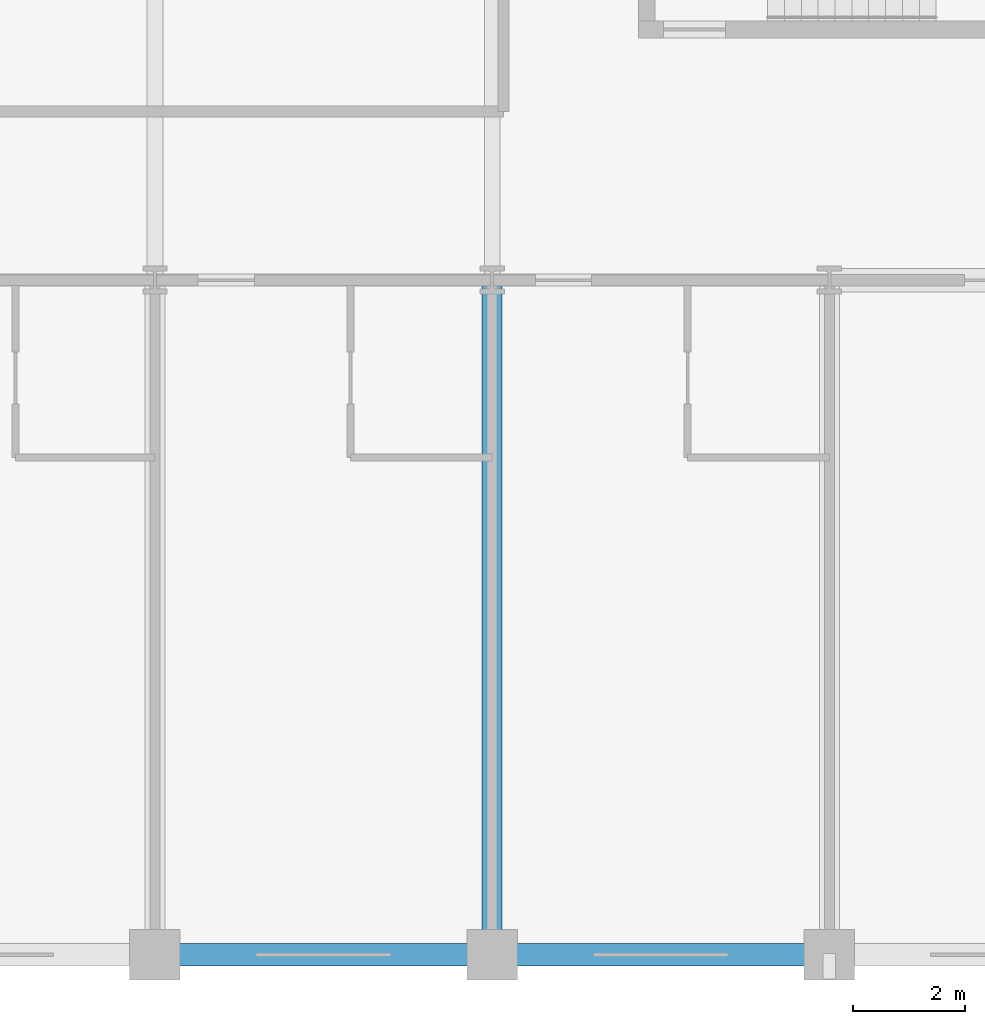
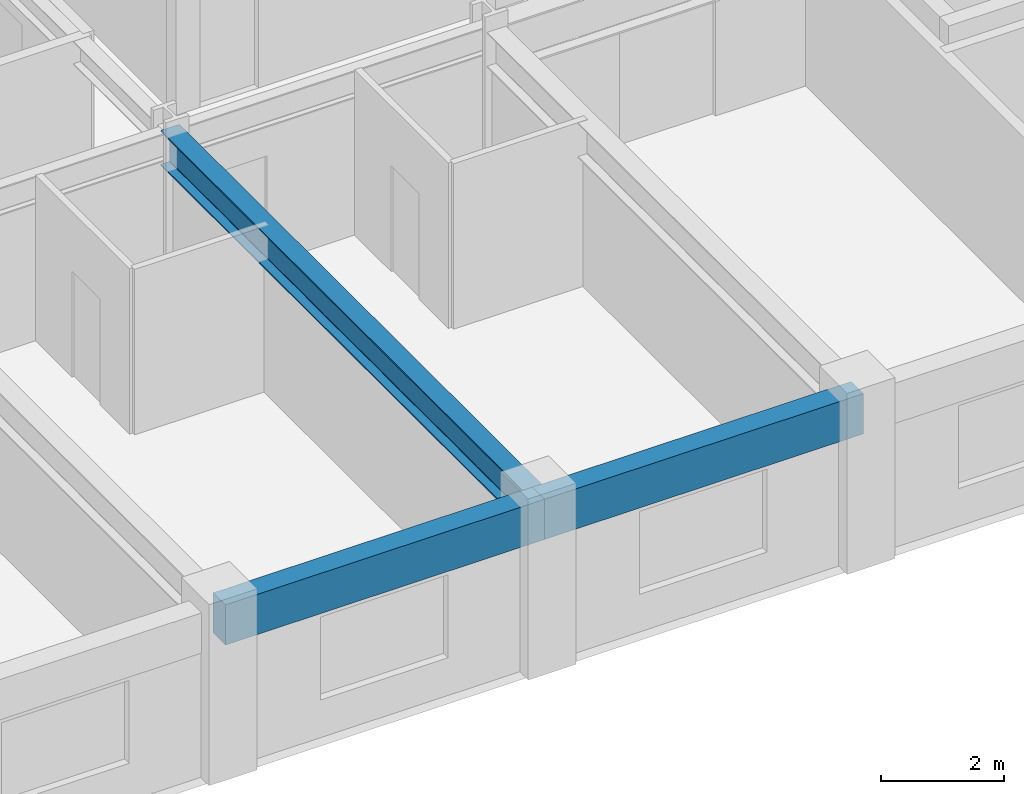
# One storey, part 3 of 22: 3 beams.
"""IFC4 building model written with IfcOpenShell, lengths in metres."""

from ifc_helpers import new_model, si_unit, direction, frame, origin, origin_2d, place, context, subcontext, project, spatial, rectangle, i_section, extrude, material, material_profile, profile_set, type_object, element, save


model = new_model("IFC4")

# Units and contexts
model_context = context("Model", 3, precision=1e-05, world=origin(), true_north=direction((0.0, 1.0)))
body_context = subcontext(model_context, "Body", "Model", "MODEL_VIEW")
ifc_project = project(units=[si_unit("LENGTHUNIT", "METRE"), si_unit("AREAUNIT", "SQUARE_METRE"), si_unit("VOLUMEUNIT", "CUBIC_METRE"), si_unit("PLANEANGLEUNIT", "RADIAN"), si_unit("MASSUNIT", "GRAM", prefix="KILO")], contexts=[model_context])

# Site, building, storey
site_placement = place(None, origin())
site = spatial("IfcSite", under=ifc_project, at=site_placement, CompositionType="ELEMENT")
building_placement = place(site_placement, origin())
building = spatial("IfcBuilding", under=site, at=building_placement, Name="Kaldorvane Square Convention Centre", CompositionType="ELEMENT")
storey_placement = place(building_placement, frame((0.0, 0.0, 31.199996948242188)))
storey = spatial("IfcBuildingStorey", under=building, at=storey_placement, Name="L06", CompositionType="ELEMENT", Elevation=31.199996948242188)

# Beams
ifc_material_1 = material(Name="Steel ASTM A992 Gr. 50", Category="steel")
ifc_material_profile_1 = material_profile(ifc_material_1, i_section(OverallWidth=0.354705810546875, OverallDepth=0.69549560546875, WebThickness=0.0153961181640625, FlangeThickness=0.0251007080078125, FilletRadius=0.01519775390625, at=origin_2d()), Name="W27X146")
ifc_profile_set_1 = profile_set([ifc_material_profile_1], Name="Steel ASTM A992 Gr. 50")
beam_type_1 = type_object("IfcBeamType", Name="BM-GR-W27X146", PredefinedType="BEAM", material=ifc_profile_set_1)
beam_placement = place(storey_placement, frame((36.0, 84.0, 2.938201904296875), z_axis=(0.0, 1.0, 0.0), x_axis=(-1.0, 0.0, 0.0)))
element("IfcBeam", 1, at=beam_placement, inside=storey, type_object=beam_type_1, Name="Transverse Girder (L06)", PredefinedType="BEAM", context=body_context, shape_type="SweptSolid", body=[
    extrude(i_section(OverallWidth=0.354705810546875, OverallDepth=0.69549560546875, WebThickness=0.0153961181640625, FlangeThickness=0.0251007080078125, FilletRadius=0.01519775390625, at=origin_2d()), origin(), (0.0, 0.0, 1.0), 12.0),
])
ifc_material_2 = material(Name="Concrete f'c = 42 MPa (Normalweight)", Category="concrete")
ifc_material_profile_2 = material_profile(ifc_material_2, rectangle(XDim=0.399993896484375, YDim=0.8000030517578125, at=origin_2d()), Name="RCSP800X400")
ifc_profile_set_2 = profile_set([ifc_material_profile_2], Name="Concrete f'c = 42 MPa (Normalweight)")
beam_type_2 = type_object("IfcBeamType", Name="BM-SP-RC800", PredefinedType="SPANDREL", material=ifc_profile_set_2)
for number, where, z_axis, x_axis, name in (
    (2, (30.0, 84.0, 2.8860015869140625), (1.0, 0.0, 0.0), (0.0, 1.0, 0.0), "Perimeter Spandrel (L06)"),
    (3, (36.0, 84.0, 2.8860015869140625), (1.0, 0.0, 0.0), (0.0, 1.0, 0.0), "Perimeter Spandrel (L06)"),
):
    element("IfcBeam", number, at=place(storey_placement, frame(where, z_axis=z_axis, x_axis=x_axis)), inside=storey, type_object=beam_type_2, Name=name, PredefinedType="SPANDREL", context=body_context, shape_type="SweptSolid", body=[
        extrude(rectangle(XDim=0.399993896484375, YDim=0.8000030517578125, at=origin_2d()), origin(), (0.0, 0.0, 1.0), 6.0),
    ])

save(model, "model.ifc")
